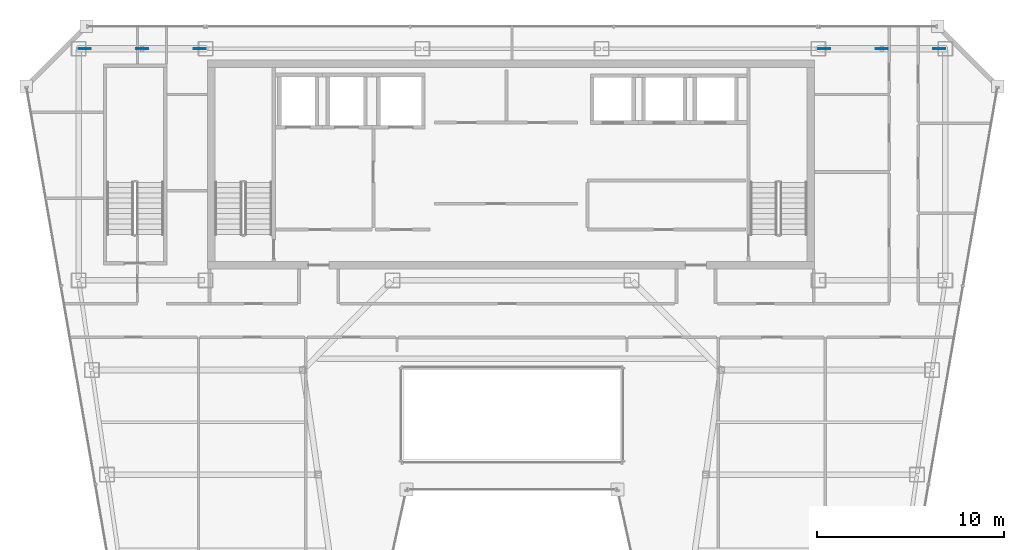
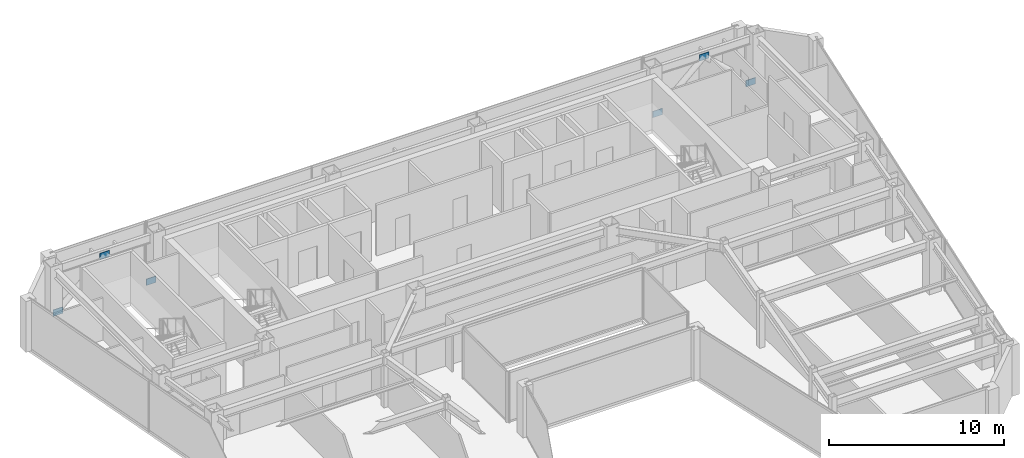
# One storey, part 25 of 32: 6 plates.
"""IFC4 building model written with IfcOpenShell, lengths in metres."""

import ifcopenshell
import ifcopenshell.guid

model = None  # the IFC model being written
_history = None  # IfcOwnerHistory: only IFC2X3 demands one
_inside = {}  # id of a spatial element -> (the spatial element, [elements in it])
_under = {}  # id of a project, library or spatial element -> (it, [spatial elements below it])
_declared = {}  # id of a project -> (the project, [libraries it declares])
_typed = {}  # id of a type object -> (the type object, [elements of that type])
_made_of = {}  # id of a material, layer set ... -> (it, [elements and type objects made of it])


def new_model(schema):
    """Start an empty IFC model of exactly this schema.

    Asked for "IFC4X3", IfcOpenShell would pick the latest addendum, in which some entities
    have other attributes; the version numbers below select the first issue.
    IFC2X3 requires an IfcOwnerHistory on every rooted entity: one is made here for all.
    """
    global model, _history
    if schema == "IFC4X3":
        model = ifcopenshell.file(schema_version=(4, 3, 0, 0))
    else:
        model = ifcopenshell.file(schema=schema)
    _inside.clear()
    _under.clear()
    _declared.clear()
    _typed.clear()
    _made_of.clear()
    _history = None
    if model.schema == "IFC2X3":
        org = make("IfcOrganization", Name="unknown")
        user = make(
            "IfcPersonAndOrganization",
            ThePerson=make("IfcPerson", FamilyName="unknown"),
            TheOrganization=org,
        )
        app = make(
            "IfcApplication",
            ApplicationDeveloper=org,
            Version="unknown",
            ApplicationFullName="unknown",
            ApplicationIdentifier="unknown",
        )
        _history = make(
            "IfcOwnerHistory",
            OwningUser=user,
            OwningApplication=app,
            ChangeAction="ADDED",
            CreationDate=0,
        )
    return model


def make(cls, **values):
    """One entity of the class cls with the attributes given. An attribute that is None is left unset."""
    return model.create_entity(
        cls, **{name: value for name, value in values.items() if value is not None}
    )


def rooted(cls, **values):
    """An entity with a GlobalId (a new one), such as an element, a storey or a relation."""
    return make(cls, GlobalId=ifcopenshell.guid.new(), OwnerHistory=_history, **values)


def si_unit(unit_type, name, prefix=None):
    """IfcSIUnit, for example si_unit("LENGTHUNIT", "METRE", prefix="MILLI")."""
    return make("IfcSIUnit", UnitType=unit_type, Prefix=prefix, Name=name)


def assignment(units):
    """IfcUnitAssignment: the units of a project."""
    return None if units is None else make("IfcUnitAssignment", Units=units)


def point(xyz):
    """IfcCartesianPoint."""
    return None if xyz is None else make("IfcCartesianPoint", Coordinates=xyz)


def direction(xyz):
    """IfcDirection."""
    return None if xyz is None else make("IfcDirection", DirectionRatios=xyz)


def frame(location, z_axis=None, x_axis=None):
    """IfcAxis2Placement3D, a coordinate frame: its origin and axes. An axis left out is left unset."""
    return make(
        "IfcAxis2Placement3D",
        Location=point(location),
        Axis=direction(z_axis),
        RefDirection=direction(x_axis),
    )


def frame_2d(location, x_axis=None):
    """IfcAxis2Placement2D, a coordinate frame in the plane: its origin and x axis."""
    return make(
        "IfcAxis2Placement2D", Location=point(location), RefDirection=direction(x_axis)
    )


def origin():
    """The frame at (0, 0, 0) with its axes left unset."""
    return frame((0.0, 0.0, 0.0))


def origin_2d():
    """The frame at (0, 0) in the plane with its x axis left unset."""
    return frame_2d((0.0, 0.0))


def place(relative_to, where):
    """IfcLocalPlacement: puts the frame where relative to a parent placement (None: the world)."""
    return make(
        "IfcLocalPlacement", PlacementRelTo=relative_to, RelativePlacement=where
    )


def context(
    kind, dimensions, precision=None, world=None, true_north=None, identifier=None
):
    """IfcGeometricRepresentationContext, for example the 3D "Model" context."""
    return make(
        "IfcGeometricRepresentationContext",
        ContextIdentifier=identifier,
        ContextType=kind,
        CoordinateSpaceDimension=dimensions,
        Precision=precision,
        WorldCoordinateSystem=world,
        TrueNorth=true_north,
    )


def subcontext(parent, identifier, kind, view, scale=None):
    """IfcGeometricRepresentationSubContext, for example "Body" below "Model"."""
    return make(
        "IfcGeometricRepresentationSubContext",
        ContextIdentifier=identifier,
        ContextType=kind,
        ParentContext=parent,
        TargetScale=scale,
        TargetView=view,
    )


def project(units=None, contexts=None):
    """IfcProject with its units and contexts."""
    return rooted(
        "IfcProject",
        Name="project",
        RepresentationContexts=contexts,
        UnitsInContext=assignment(units),
    )


def spatial(cls, under=None, at=None, **own):
    """A site, building, storey or space (cls), placed at a placement, below another one or the project."""
    s = rooted(cls, ObjectPlacement=at, **own)
    if under is not None:
        _under.setdefault(under.id(), (under, []))[1].append(s)
    return s


def profile(cls, at=None, kind="AREA", **sizes):
    """A parametric profile (cls). Its sizes go by their IFC names, for example OverallWidth=200.0."""
    return make(cls, ProfileType=kind, Position=at, **sizes)


def rectangle(**sizes):
    """IfcRectangleProfileDef."""
    return profile("IfcRectangleProfileDef", **sizes)


def extrude(swept, where, along, depth):
    """IfcExtrudedAreaSolid: the profile swept, set in the frame where, extruded along a direction by depth."""
    return make(
        "IfcExtrudedAreaSolid",
        SweptArea=swept,
        Position=where,
        ExtrudedDirection=direction(along),
        Depth=depth,
    )


def shape(context_of_items, identifier, shape_type, items):
    """IfcShapeRepresentation: the items that make up one representation, for example the "Body"."""
    return make(
        "IfcShapeRepresentation",
        ContextOfItems=context_of_items,
        RepresentationIdentifier=identifier,
        RepresentationType=shape_type,
        Items=items,
    )


def material(Name=None, Category=None):
    """IfcMaterial."""
    return make("IfcMaterial", Name=Name, Category=Category)


def layer(
    of_material, thickness, ventilated=None, Name=None, Category=None, Priority=None
):
    """IfcMaterialLayer: one layer of a wall or slab, of a material (None: an air gap)."""
    return make(
        "IfcMaterialLayer",
        Material=of_material,
        LayerThickness=thickness,
        IsVentilated=ventilated,
        Name=Name,
        Category=Category,
        Priority=Priority,
    )


def layer_set(layers, Name=None):
    """IfcMaterialLayerSet."""
    return make("IfcMaterialLayerSet", MaterialLayers=layers, LayerSetName=Name)


def made_of(thing, what):
    """Note that an element or type object is made of a material, layer set ...; save() writes the relation."""
    if what is not None:
        _made_of.setdefault(what.id(), (what, []))[1].append(thing)
    return thing


def type_object(cls, material=None, **own):
    """A type object (cls), such as IfcWallType, which elements share."""
    return made_of(rooted(cls, **own), material)


def element(
    cls,
    number,
    at=None,
    inside=None,
    cuts=None,
    type_object=None,
    material=None,
    context=None,
    identifier="Body",
    shape_type=None,
    held_by="IfcProductDefinitionShape",
    body=None,
    shapes=None,
    **own,
):
    """One element of the class cls, such as IfcWall. Its Tag is "e" and its number.

    at: its placement. inside: the storey or other place that contains it. cuts: it is an
    opening in that element (IfcRelVoidsElement). A single representation is given by context,
    identifier, shape_type and body (its items); several are given by shapes. held_by: the class
    of the entity that holds the representations. save() writes the other relations.
    """
    e = rooted(cls, Tag="e%d" % number, ObjectPlacement=at, **own)
    if body is not None:
        shapes = [shape(context, identifier, shape_type, body)]
    if shapes is not None:
        e.Representation = make(held_by, Representations=shapes)
    if inside is not None:
        _inside.setdefault(inside.id(), (inside, []))[1].append(e)
    if cuts is not None:
        rooted(
            "IfcRelVoidsElement", RelatingBuildingElement=cuts, RelatedOpeningElement=e
        )
    if type_object is not None:
        _typed.setdefault(type_object.id(), (type_object, []))[1].append(e)
    return made_of(e, material)


def aggregate(whole, parts):
    """IfcRelAggregates: a whole, such as a stair, and the parts it consists of."""
    return rooted("IfcRelAggregates", RelatingObject=whole, RelatedObjects=parts)


def save(model, path):
    """Write the relations noted so far, then the file.

    IfcRelAggregates (storeys below a building ...), IfcRelContainedInSpatialStructure (elements
    in a storey), IfcRelDefinesByType, IfcRelAssociatesMaterial and IfcRelDeclares: one each for
    every whole, place, type object, material and project.
    """
    for whole, parts in _under.values():
        aggregate(whole, parts)
    for where, things in _inside.values():
        rooted(
            "IfcRelContainedInSpatialStructure",
            RelatedElements=things,
            RelatingStructure=where,
        )
    for kind, things in _typed.values():
        rooted("IfcRelDefinesByType", RelatedObjects=things, RelatingType=kind)
    for what, things in _made_of.values():
        rooted("IfcRelAssociatesMaterial", RelatedObjects=things, RelatingMaterial=what)
    for by, libraries in _declared.values():
        rooted("IfcRelDeclares", RelatingContext=by, RelatedDefinitions=libraries)
    model.write(path)


model = new_model("IFC4")

# Units and contexts
model_context = context("Model", 3, precision=1e-05, world=origin(), true_north=direction((0.0, 1.0)))
body_context = subcontext(model_context, "Body", "Model", "MODEL_VIEW")
ifc_project = project(units=[si_unit("LENGTHUNIT", "METRE"), si_unit("AREAUNIT", "SQUARE_METRE"), si_unit("VOLUMEUNIT", "CUBIC_METRE"), si_unit("PLANEANGLEUNIT", "RADIAN"), si_unit("MASSUNIT", "GRAM", prefix="KILO")], contexts=[model_context])

# Site, building, storey
site_placement = place(None, origin())
site = spatial("IfcSite", under=ifc_project, at=site_placement, CompositionType="ELEMENT")
building_placement = place(site_placement, origin())
building = spatial("IfcBuilding", under=site, at=building_placement, Name="Saevonmaru Cultural Tower", CompositionType="ELEMENT")
storey_placement = place(building_placement, frame((0.0, 0.0, 245.800048828125)))
storey = spatial("IfcBuildingStorey", under=building, at=storey_placement, Name="L57", CompositionType="ELEMENT", Elevation=245.800048828125)

# Plates
ifc_material = material(Name="Steel HSA600 (600 MPa)", Category="steel")
ifc_layer = layer(ifc_material, 0.0400390625, Name="Steel HSA600 (600 MPa)")
ifc_layer_set = layer_set([ifc_layer], Name="Steel HSA600 (600 MPa)")
plate_type = type_object("IfcPlateType", Name="PL-GUSSET-EXT", PredefinedType="USERDEFINED", material=ifc_layer_set)
for number, where, z_axis, x_axis, name in (
    (1, (10.199951171875, 54.800048828125, 2.89990234375), (0.0, 0.0, 1.0), (1.0, 0.0, 0.0), "L57 Perimeter Tube Gusset Plate"),
    (2, (7.1201171875, 54.800048828125, 0.02001953125), (0.0, 0.0, 1.0), (1.0, 0.0, 0.0), "L57 Perimeter Tube Gusset Plate"),
    (3, (13.280029296875, 54.800048828125, 0.02001953125), (0.0, 0.0, 1.0), (1.0, 0.0, 0.0), "L57 Perimeter Tube Gusset Plate"),
    (4, (49.800048828125, 54.800048828125, 2.89990234375), (0.0, 0.0, 1.0), (1.0, 0.0, 0.0), "L57 Perimeter Tube Gusset Plate"),
    (5, (46.719970703125, 54.800048828125, 0.02001953125), (0.0, 0.0, 1.0), (1.0, 0.0, 0.0), "L57 Perimeter Tube Gusset Plate"),
    (6, (52.8798828125, 54.800048828125, 0.02001953125), (0.0, 0.0, 1.0), (1.0, 0.0, 0.0), "L57 Perimeter Tube Gusset Plate"),
):
    element("IfcPlate", number, at=place(storey_placement, frame(where, z_axis=z_axis, x_axis=x_axis)), inside=storey, type_object=plate_type, Name=name, ObjectType="GUSSET_PLATE", PredefinedType="USERDEFINED", context=body_context, shape_type="SweptSolid", body=[
        extrude(rectangle(XDim=0.639892578125, YDim=0.0400390625, at=origin_2d()), origin(), (0.0, 0.0, 1.0), 0.43994140625),
    ])

save(model, "model.ifc")
